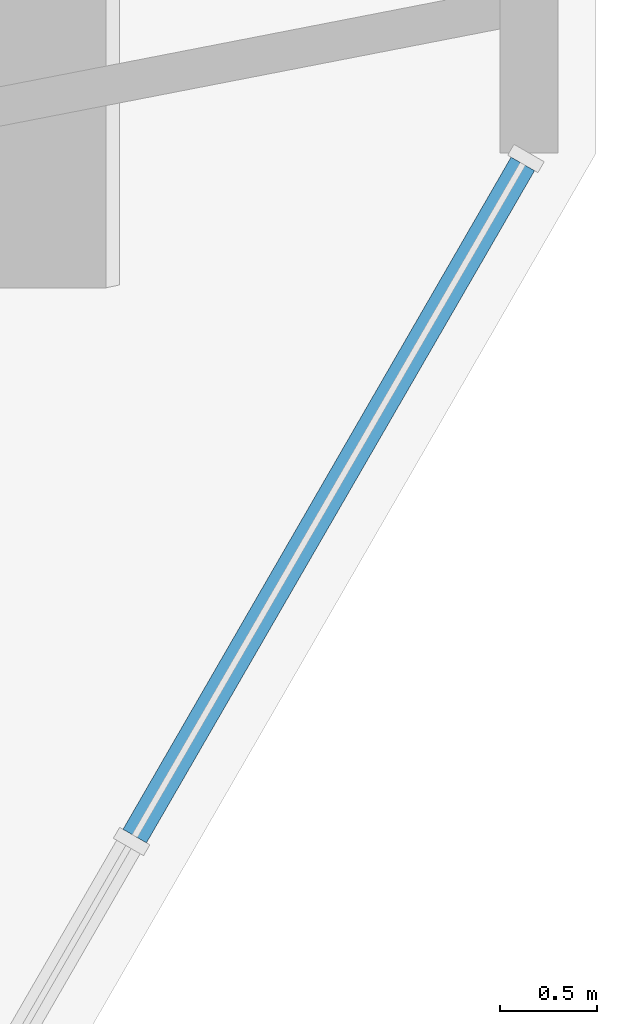
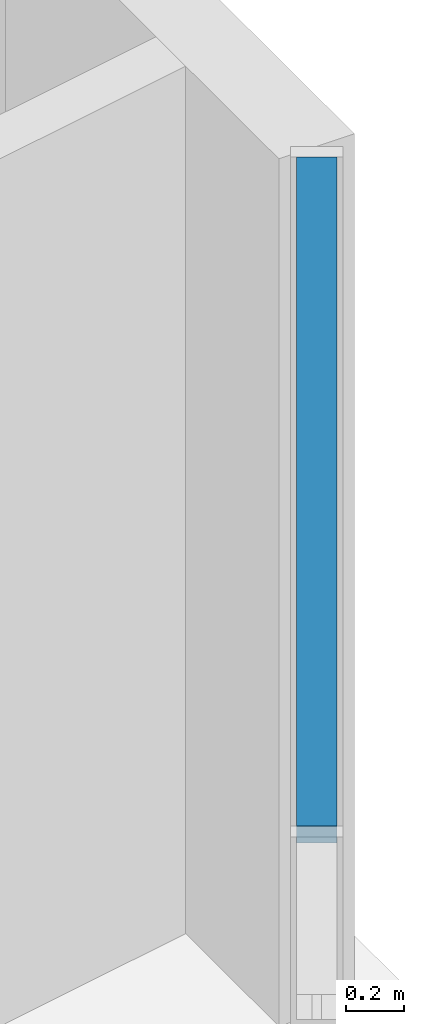
# One storey, part 6 of 17: 1 member, 1 element without a shape of its own.
"""IFC4 building model written with IfcOpenShell, lengths in metres."""

import ifcopenshell
import ifcopenshell.guid

model = None  # the IFC model being written
_history = None  # IfcOwnerHistory: only IFC2X3 demands one
_inside = {}  # id of a spatial element -> (the spatial element, [elements in it])
_under = {}  # id of a project, library or spatial element -> (it, [spatial elements below it])
_declared = {}  # id of a project -> (the project, [libraries it declares])
_typed = {}  # id of a type object -> (the type object, [elements of that type])
_made_of = {}  # id of a material, layer set ... -> (it, [elements and type objects made of it])


def new_model(schema):
    """Start an empty IFC model of exactly this schema.

    Asked for "IFC4X3", IfcOpenShell would pick the latest addendum, in which some entities
    have other attributes; the version numbers below select the first issue.
    IFC2X3 requires an IfcOwnerHistory on every rooted entity: one is made here for all.
    """
    global model, _history
    if schema == "IFC4X3":
        model = ifcopenshell.file(schema_version=(4, 3, 0, 0))
    else:
        model = ifcopenshell.file(schema=schema)
    _inside.clear()
    _under.clear()
    _declared.clear()
    _typed.clear()
    _made_of.clear()
    _history = None
    if model.schema == "IFC2X3":
        org = make("IfcOrganization", Name="unknown")
        user = make(
            "IfcPersonAndOrganization",
            ThePerson=make("IfcPerson", FamilyName="unknown"),
            TheOrganization=org,
        )
        app = make(
            "IfcApplication",
            ApplicationDeveloper=org,
            Version="unknown",
            ApplicationFullName="unknown",
            ApplicationIdentifier="unknown",
        )
        _history = make(
            "IfcOwnerHistory",
            OwningUser=user,
            OwningApplication=app,
            ChangeAction="ADDED",
            CreationDate=0,
        )
    return model


def make(cls, **values):
    """One entity of the class cls with the attributes given. An attribute that is None is left unset."""
    return model.create_entity(
        cls, **{name: value for name, value in values.items() if value is not None}
    )


def rooted(cls, **values):
    """An entity with a GlobalId (a new one), such as an element, a storey or a relation."""
    return make(cls, GlobalId=ifcopenshell.guid.new(), OwnerHistory=_history, **values)


def si_unit(unit_type, name, prefix=None):
    """IfcSIUnit, for example si_unit("LENGTHUNIT", "METRE", prefix="MILLI")."""
    return make("IfcSIUnit", UnitType=unit_type, Prefix=prefix, Name=name)


def assignment(units):
    """IfcUnitAssignment: the units of a project."""
    return None if units is None else make("IfcUnitAssignment", Units=units)


def point(xyz):
    """IfcCartesianPoint."""
    return None if xyz is None else make("IfcCartesianPoint", Coordinates=xyz)


def direction(xyz):
    """IfcDirection."""
    return None if xyz is None else make("IfcDirection", DirectionRatios=xyz)


def frame(location, z_axis=None, x_axis=None):
    """IfcAxis2Placement3D, a coordinate frame: its origin and axes. An axis left out is left unset."""
    return make(
        "IfcAxis2Placement3D",
        Location=point(location),
        Axis=direction(z_axis),
        RefDirection=direction(x_axis),
    )


def frame_2d(location, x_axis=None):
    """IfcAxis2Placement2D, a coordinate frame in the plane: its origin and x axis."""
    return make(
        "IfcAxis2Placement2D", Location=point(location), RefDirection=direction(x_axis)
    )


def origin():
    """The frame at (0, 0, 0) with its axes left unset."""
    return frame((0.0, 0.0, 0.0))


def origin_2d():
    """The frame at (0, 0) in the plane with its x axis left unset."""
    return frame_2d((0.0, 0.0))


def place(relative_to, where):
    """IfcLocalPlacement: puts the frame where relative to a parent placement (None: the world)."""
    return make(
        "IfcLocalPlacement", PlacementRelTo=relative_to, RelativePlacement=where
    )


def context(
    kind, dimensions, precision=None, world=None, true_north=None, identifier=None
):
    """IfcGeometricRepresentationContext, for example the 3D "Model" context."""
    return make(
        "IfcGeometricRepresentationContext",
        ContextIdentifier=identifier,
        ContextType=kind,
        CoordinateSpaceDimension=dimensions,
        Precision=precision,
        WorldCoordinateSystem=world,
        TrueNorth=true_north,
    )


def subcontext(parent, identifier, kind, view, scale=None):
    """IfcGeometricRepresentationSubContext, for example "Body" below "Model"."""
    return make(
        "IfcGeometricRepresentationSubContext",
        ContextIdentifier=identifier,
        ContextType=kind,
        ParentContext=parent,
        TargetScale=scale,
        TargetView=view,
    )


def project(units=None, contexts=None):
    """IfcProject with its units and contexts."""
    return rooted(
        "IfcProject",
        Name="project",
        RepresentationContexts=contexts,
        UnitsInContext=assignment(units),
    )


def spatial(cls, under=None, at=None, **own):
    """A site, building, storey or space (cls), placed at a placement, below another one or the project."""
    s = rooted(cls, ObjectPlacement=at, **own)
    if under is not None:
        _under.setdefault(under.id(), (under, []))[1].append(s)
    return s


def profile(cls, at=None, kind="AREA", **sizes):
    """A parametric profile (cls). Its sizes go by their IFC names, for example OverallWidth=200.0."""
    return make(cls, ProfileType=kind, Position=at, **sizes)


def rectangle(**sizes):
    """IfcRectangleProfileDef."""
    return profile("IfcRectangleProfileDef", **sizes)


def extrude(swept, where, along, depth):
    """IfcExtrudedAreaSolid: the profile swept, set in the frame where, extruded along a direction by depth."""
    return make(
        "IfcExtrudedAreaSolid",
        SweptArea=swept,
        Position=where,
        ExtrudedDirection=direction(along),
        Depth=depth,
    )


def shape(context_of_items, identifier, shape_type, items):
    """IfcShapeRepresentation: the items that make up one representation, for example the "Body"."""
    return make(
        "IfcShapeRepresentation",
        ContextOfItems=context_of_items,
        RepresentationIdentifier=identifier,
        RepresentationType=shape_type,
        Items=items,
    )


def material(Name=None, Category=None):
    """IfcMaterial."""
    return make("IfcMaterial", Name=Name, Category=Category)


def material_profile(
    of_material, cross_section, Name=None, Category=None, Priority=None
):
    """IfcMaterialProfile: a cross section and its material."""
    return make(
        "IfcMaterialProfile",
        Name=Name,
        Material=of_material,
        Profile=cross_section,
        Priority=Priority,
        Category=Category,
    )


def profile_set(profiles, Name=None, composite=None):
    """IfcMaterialProfileSet."""
    return make(
        "IfcMaterialProfileSet",
        Name=Name,
        MaterialProfiles=profiles,
        CompositeProfile=composite,
    )


def made_of(thing, what):
    """Note that an element or type object is made of a material, layer set ...; save() writes the relation."""
    if what is not None:
        _made_of.setdefault(what.id(), (what, []))[1].append(thing)
    return thing


def type_object(cls, material=None, **own):
    """A type object (cls), such as IfcWallType, which elements share."""
    return made_of(rooted(cls, **own), material)


def element(
    cls,
    number,
    at=None,
    inside=None,
    cuts=None,
    type_object=None,
    material=None,
    context=None,
    identifier="Body",
    shape_type=None,
    held_by="IfcProductDefinitionShape",
    body=None,
    shapes=None,
    **own,
):
    """One element of the class cls, such as IfcWall. Its Tag is "e" and its number.

    at: its placement. inside: the storey or other place that contains it. cuts: it is an
    opening in that element (IfcRelVoidsElement). A single representation is given by context,
    identifier, shape_type and body (its items); several are given by shapes. held_by: the class
    of the entity that holds the representations. save() writes the other relations.
    """
    e = rooted(cls, Tag="e%d" % number, ObjectPlacement=at, **own)
    if body is not None:
        shapes = [shape(context, identifier, shape_type, body)]
    if shapes is not None:
        e.Representation = make(held_by, Representations=shapes)
    if inside is not None:
        _inside.setdefault(inside.id(), (inside, []))[1].append(e)
    if cuts is not None:
        rooted(
            "IfcRelVoidsElement", RelatingBuildingElement=cuts, RelatedOpeningElement=e
        )
    if type_object is not None:
        _typed.setdefault(type_object.id(), (type_object, []))[1].append(e)
    return made_of(e, material)


def aggregate(whole, parts):
    """IfcRelAggregates: a whole, such as a stair, and the parts it consists of."""
    return rooted("IfcRelAggregates", RelatingObject=whole, RelatedObjects=parts)


def save(model, path):
    """Write the relations noted so far, then the file.

    IfcRelAggregates (storeys below a building ...), IfcRelContainedInSpatialStructure (elements
    in a storey), IfcRelDefinesByType, IfcRelAssociatesMaterial and IfcRelDeclares: one each for
    every whole, place, type object, material and project.
    """
    for whole, parts in _under.values():
        aggregate(whole, parts)
    for where, things in _inside.values():
        rooted(
            "IfcRelContainedInSpatialStructure",
            RelatedElements=things,
            RelatingStructure=where,
        )
    for kind, things in _typed.values():
        rooted("IfcRelDefinesByType", RelatedObjects=things, RelatingType=kind)
    for what, things in _made_of.values():
        rooted("IfcRelAssociatesMaterial", RelatedObjects=things, RelatingMaterial=what)
    for by, libraries in _declared.values():
        rooted("IfcRelDeclares", RelatingContext=by, RelatedDefinitions=libraries)
    model.write(path)


model = new_model("IFC4")

# Units and contexts
model_context = context("Model", 3, precision=1e-05, world=origin(), true_north=direction((0.0, 1.0)))
body_context = subcontext(model_context, "Body", "Model", "MODEL_VIEW")
ifc_project = project(units=[si_unit("LENGTHUNIT", "METRE"), si_unit("AREAUNIT", "SQUARE_METRE"), si_unit("VOLUMEUNIT", "CUBIC_METRE"), si_unit("PLANEANGLEUNIT", "RADIAN"), si_unit("MASSUNIT", "GRAM", prefix="KILO")], contexts=[model_context])

# Site, building, storey
site_placement = place(None, origin())
site = spatial("IfcSite", under=ifc_project, at=site_placement, CompositionType="ELEMENT")
building_placement = place(site_placement, origin())
building = spatial("IfcBuilding", under=site, at=building_placement, Name="Sandreach Pilgrim Tower", CompositionType="ELEMENT")
storey_placement = place(building_placement, frame((0.0, 0.0, 169.0)))
storey = spatial("IfcBuildingStorey", under=building, at=storey_placement, Name="L42", CompositionType="ELEMENT", Elevation=169.0)

# Curtain wall, member
ifc_material_1 = material(Name="Aluminium framed curtain wall", Category="aluminium")
curtain_wall_type = type_object("IfcCurtainWallType", Name="Hotel tower curtain wall", PredefinedType="NOTDEFINED", material=ifc_material_1)
curtain_wall_placement = place(storey_placement, origin())
curtain_wall = element("IfcCurtainWall", 1, at=curtain_wall_placement, inside=storey, type_object=curtain_wall_type, Name="CW-2 L42 SE", PredefinedType="NOTDEFINED")
ifc_material_2 = material(Name="Aluminium extrusion", Category="aluminium")
ifc_material_profile = material_profile(ifc_material_2, rectangle(XDim=0.139892578125, YDim=0.070068359375, at=origin_2d()), Name="CW-2T 140X70")
ifc_profile_set = profile_set([ifc_material_profile], Name="Aluminium extrusion")
member_type = type_object("IfcMemberType", Name="CW-2 transom", PredefinedType="USERDEFINED", material=ifc_profile_set)
member_placement = place(storey_placement, frame((28.6884765625, 4.7021484375, 3.60498046875), z_axis=(-0.500015851672, -0.866016251624, 0.0), x_axis=(0.866016251624, -0.500015851672, 0.0)))
member = element("IfcMember", 2, at=member_placement, type_object=member_type, Name="CW-2 head transom 1", ObjectType="TRANSOM", PredefinedType="USERDEFINED", context=body_context, shape_type="SweptSolid", body=[
    extrude(rectangle(XDim=0.139892578125, YDim=0.070068359375, at=origin_2d()), origin(), (0.0, 0.0, 1.0), 4.009521484375),
])
aggregate(curtain_wall, [member])

save(model, "model.ifc")
